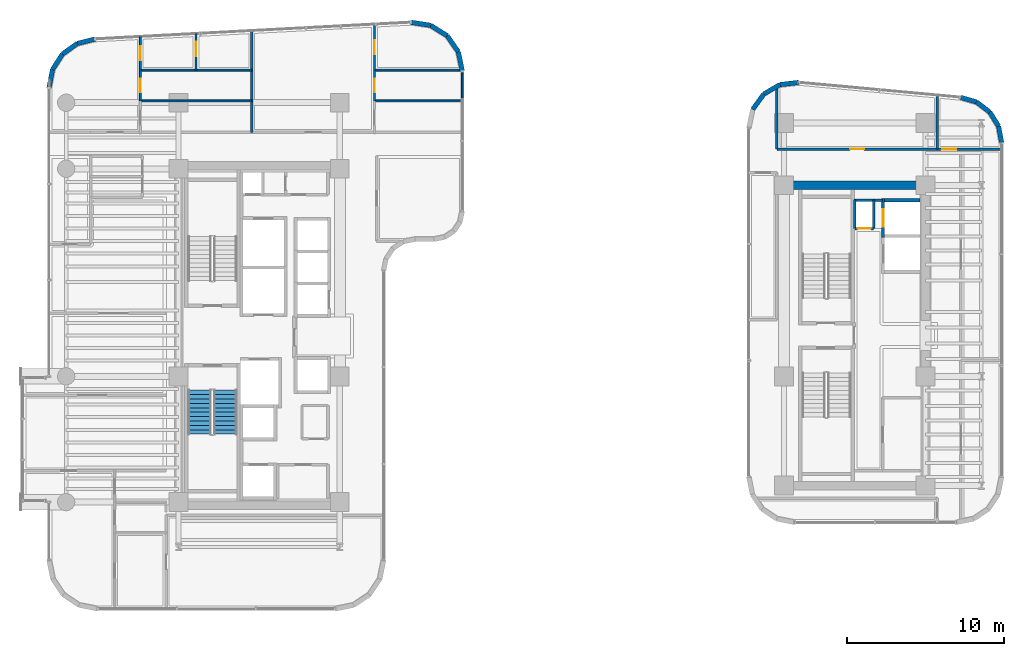
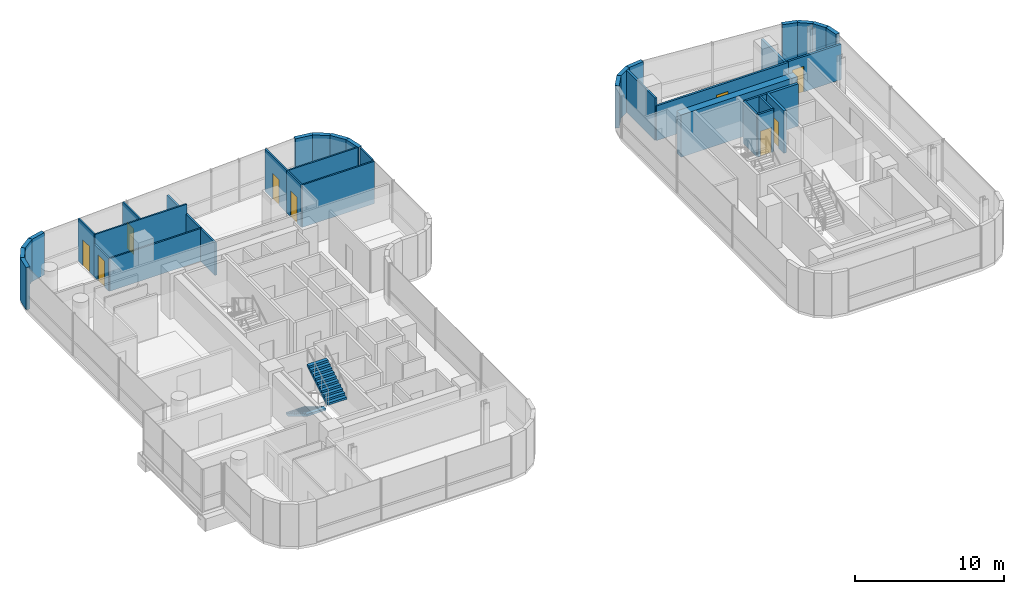
# One storey, part 29 of 34: 37 walls, 9 doors, 2 stair flights, 9 openings, 1 element without a shape of its own.
"""IFC4 building model written with IfcOpenShell, lengths in metres."""

from ifc_helpers import new_model, si_unit, direction, frame, frame_2d, origin, place, context, subcontext, project, spatial, polyline, rectangle, outline, extrude, material, layer, layer_set, type_object, element, fill, aggregate, save


model = new_model("IFC4")

# Units and contexts
model_context = context("Model", 3, precision=1e-05, world=origin(), true_north=direction((0.0, 1.0)))
body_context = subcontext(model_context, "Body", "Model", "MODEL_VIEW")
ifc_project = project(units=[si_unit("LENGTHUNIT", "METRE"), si_unit("AREAUNIT", "SQUARE_METRE"), si_unit("VOLUMEUNIT", "CUBIC_METRE"), si_unit("PLANEANGLEUNIT", "RADIAN"), si_unit("MASSUNIT", "GRAM", prefix="KILO")], contexts=[model_context])

# Site, building, storey
site_placement = place(None, origin())
site = spatial("IfcSite", under=ifc_project, at=site_placement, CompositionType="ELEMENT")
building_placement = place(site_placement, origin())
building = spatial("IfcBuilding", under=site, at=building_placement, Name="Valdorenza Pilgrim Sanctuary Tower", CompositionType="ELEMENT")
storey_placement = place(building_placement, frame((0.0, 0.0, 164.89990234375)))
storey = spatial("IfcBuildingStorey", under=building, at=storey_placement, Name="L42", CompositionType="ELEMENT", Elevation=164.89990234375)

# Wall, opening, door
ifc_material_1 = material(Name="Acoustic twin-stud gypsum partition", Category="gypsum")
ifc_layer_1 = layer(ifc_material_1, 0.159912109375, Name="Acoustic twin-stud gypsum partition")
ifc_layer_set_1 = layer_set([ifc_layer_1], Name="Acoustic twin-stud gypsum partition")
wall_type_1 = type_object("IfcWallType", Name="WAL-COR-160", PredefinedType="PARTITIONING", material=ifc_layer_set_1)
wall_1_placement = place(storey_placement, frame((20.35009765625, 6.800048828125, 0.0), z_axis=(0.0, 0.0, 1.0), x_axis=(1.0, 0.0, 0.0)))
wall_1 = element("IfcWall", 1, at=wall_1_placement, inside=storey, type_object=wall_type_1, Name="L42 Core B Riser South Wall", PredefinedType="PARTITIONING", context=body_context, shape_type="SweptSolid", body=[
    extrude(rectangle(XDim=1.199951171875, YDim=0.159912109375, at=frame_2d((0.60009765625, 0.0))), origin(), (0.0, 0.0, 1.0), 3.460205078125),
])
opening_1_placement = place(wall_1_placement, frame((0.175048828125, 0.0, 0.0)))
opening_1 = element("IfcOpeningElement", 2, at=opening_1_placement, cuts=wall_1, Name="Opening DR-RS1", PredefinedType="OPENING", context=body_context, shape_type="SweptSolid", body=[
    extrude(rectangle(XDim=0.85009765625, YDim=2.050048828125, at=frame_2d((0.425048828125, 1.02490234375))), frame((0.0, 0.0947265625, 0.0), z_axis=(0.0, -1.0, 0.0), x_axis=(1.0, 0.0, 0.0)), (0.0, 0.0, 1.0), 0.189697265625),
])
ifc_material_2 = material(Name="Painted galvanized steel", Category="steel")
door_type_1 = type_object("IfcDoorType", Name="DR-RSR-850", OperationType="NOTDEFINED", PredefinedType="DOOR", material=ifc_material_2)
door_1_placement = place(opening_1_placement, origin())
door_1 = element("IfcDoor", 3, at=door_1_placement, inside=storey, type_object=door_type_1, Name="L42 Core B Electrical Riser Door", OperationType="SINGLE_SWING_LEFT", OverallHeight=2.050048828125, OverallWidth=0.85009765625, PredefinedType="DOOR", context=body_context, shape_type="SweptSolid", body=[
    extrude(rectangle(XDim=0.85009765625, YDim=2.050048828125, at=frame_2d((0.425048828125, 1.02490234375))), frame((0.0, 0.02490234375, 0.0), z_axis=(0.0, -1.0, 0.0), x_axis=(1.0, 0.0, 0.0)), (0.0, 0.0, 1.0), 0.050048828125),
])
fill(opening_1, door_1)

# Walls
for number, where, z_axis, x_axis, name in (
    (4, (21.550048828125, 6.800048828125, 0.0), (0.0, 0.0, 1.0), (0.0, 1.0, 0.0), "L42 Core B Riser East Wall"),
    (5, (20.35009765625, 6.800048828125, 0.0), (0.0, 0.0, 1.0), (0.0, 1.0, 0.0), "L42 Core B Riser West Wall"),
):
    element("IfcWall", number, at=place(storey_placement, frame(where, z_axis=z_axis, x_axis=x_axis)), inside=storey, type_object=wall_type_1, Name=name, PredefinedType="PARTITIONING", context=body_context, shape_type="SweptSolid", body=[
        extrude(rectangle(XDim=1.800048828125, YDim=0.159912109375, at=frame_2d((0.89990234375, 0.0))), origin(), (0.0, 0.0, 1.0), 3.460205078125),
    ])
wall_2_placement = place(storey_placement, frame((20.300048828125, 8.60009765625, 0.0), z_axis=(0.0, 0.0, 1.0), x_axis=(1.0, 0.0, 0.0)))
element("IfcWall", 6, at=wall_2_placement, inside=storey, type_object=wall_type_1, Name="L42 Core B Lift Hall North End Wall", PredefinedType="PARTITIONING", context=body_context, shape_type="SweptSolid", body=[
    extrude(rectangle(XDim=1.820068359375, YDim=0.159912109375, at=frame_2d((0.91015625, 0.0))), origin(), (0.0, 0.0, 1.0), 3.460205078125),
])

# Wall, opening, door
wall_3_placement = place(storey_placement, frame((15.39990234375, 11.85009765625, 0.0), z_axis=(0.0, 0.0, 1.0), x_axis=(1.0, 0.0, 0.0)))
wall_3 = element("IfcWall", 7, at=wall_3_placement, inside=storey, type_object=wall_type_1, Name="L42 Wing B North Corridor Wall", PredefinedType="PARTITIONING", context=body_context, shape_type="SweptSolid", body=[
    extrude(rectangle(XDim=10.2001953125, YDim=0.159912109375, at=frame_2d((5.10009765625, 0.0))), origin(), (0.0, 0.0, 1.0), 2.833984375),
])
opening_2_placement = place(wall_3_placement, frame((4.64990234375, 0.0, 0.0)))
opening_2 = element("IfcOpeningElement", 8, at=opening_2_placement, cuts=wall_3, Name="Opening DR-RM1", PredefinedType="OPENING", context=body_context, shape_type="SweptSolid", body=[
    extrude(rectangle(XDim=0.89990234375, YDim=2.10009765625, at=frame_2d((0.449951171875, 1.050048828125))), frame((0.0, 0.0947265625, 0.0), z_axis=(0.0, -1.0, 0.0), x_axis=(1.0, 0.0, 0.0)), (0.0, 0.0, 1.0), 0.189697265625),
])
ifc_material_3 = material(Name="Solid-core European oak timber", Category="wood")
door_type_2 = type_object("IfcDoorType", Name="DR-ROOM-900", OperationType="NOTDEFINED", PredefinedType="DOOR", material=ifc_material_3)
door_2_placement = place(opening_2_placement, frame((0.89990234375, 0.0, 0.0), z_axis=(0.0, 0.0, 1.0), x_axis=(-1.0, 0.0, 0.0)))
door_2 = element("IfcDoor", 9, at=door_2_placement, inside=storey, type_object=door_type_2, Name="L42 Curator Research Office L42-BN1 Door", OperationType="SINGLE_SWING_LEFT", OverallHeight=2.10009765625, OverallWidth=0.89990234375, PredefinedType="DOOR", context=body_context, shape_type="SweptSolid", body=[
    extrude(rectangle(XDim=0.89990234375, YDim=2.10009765625, at=frame_2d((0.449951171875, 1.050048828125))), frame((0.0, 0.02490234375, 0.0), z_axis=(0.0, -1.0, 0.0), x_axis=(1.0, 0.0, 0.0)), (0.0, 0.0, 1.0), 0.050048828125),
])
fill(opening_2, door_2)

# Walls
wall_4_placement = place(storey_placement, frame((15.39990234375, 11.85009765625, 0.0), z_axis=(0.0, 0.0, 1.0), x_axis=(0.0, 1.0, 0.0)))
element("IfcWall", 10, at=wall_4_placement, inside=storey, type_object=wall_type_1, Name="L42 Wing B North West Wall", PredefinedType="PARTITIONING", context=body_context, shape_type="SweptSolid", body=[
    extrude(rectangle(XDim=3.846923828125, YDim=0.159912109375, at=frame_2d((1.92333984375, 0.0))), origin(), (0.0, 0.0, 1.0), 3.460205078125),
])
wall_5_placement = place(storey_placement, frame((25.60009765625, 11.85009765625, 0.0), z_axis=(0.0, 0.0, 1.0), x_axis=(0.0, 1.0, 0.0)))
element("IfcWall", 11, at=wall_5_placement, inside=storey, type_object=wall_type_1, Name="L42 Wing B North East Wall", PredefinedType="PARTITIONING", context=body_context, shape_type="SweptSolid", body=[
    extrude(rectangle(XDim=3.426025390625, YDim=0.159912109375, at=frame_2d((1.712890625, 0.0))), origin(), (0.0, 0.0, 1.0), 2.666015625),
])

# Wall, opening, door
wall_6_placement = place(storey_placement, frame((25.60009765625, 11.85009765625, 0.0), z_axis=(0.0, 0.0, 1.0), x_axis=(1.0, 0.0, 0.0)))
wall_6 = element("IfcWall", 12, at=wall_6_placement, inside=storey, type_object=wall_type_1, Name="L42 East Wing NE Corner South Wall", PredefinedType="PARTITIONING", context=body_context, shape_type="SweptSolid", body=[
    extrude(rectangle(XDim=4.08984375, YDim=0.159912109375, at=frame_2d((2.044921875, 0.0))), origin(), (0.0, 0.0, 1.0), 2.89599609375),
])
opening_3_placement = place(wall_6_placement, frame((0.300048828125, 0.0, 0.0)))
opening_3 = element("IfcOpeningElement", 13, at=opening_3_placement, cuts=wall_6, Name="Opening DR-RM1", PredefinedType="OPENING", context=body_context, shape_type="SweptSolid", body=[
    extrude(rectangle(XDim=0.89990234375, YDim=2.10009765625, at=frame_2d((0.449951171875, 1.050048828125))), frame((0.0, 0.0947265625, 0.0), z_axis=(0.0, -1.0, 0.0), x_axis=(1.0, 0.0, 0.0)), (0.0, 0.0, 1.0), 0.189697265625),
])
door_3_placement = place(opening_3_placement, origin())
door_3 = element("IfcDoor", 14, at=door_3_placement, inside=storey, type_object=door_type_2, Name="L42 East North Alcove Office L42 Door", OperationType="SINGLE_SWING_LEFT", OverallHeight=2.10009765625, OverallWidth=0.89990234375, PredefinedType="DOOR", context=body_context, shape_type="SweptSolid", body=[
    extrude(rectangle(XDim=0.89990234375, YDim=2.10009765625, at=frame_2d((0.449951171875, 1.050048828125))), frame((0.0, 0.02490234375, 0.0), z_axis=(0.0, -1.0, 0.0), x_axis=(1.0, 0.0, 0.0)), (0.0, 0.0, 1.0), 0.050048828125),
])
fill(opening_3, door_3)

# Walls
ifc_material_4 = material(Name="Concrete C50/60", Category="concrete")
ifc_layer_2 = layer(ifc_material_4, 0.550048828125, Name="Concrete C50/60")
ifc_layer_set_2 = layer_set([ifc_layer_2], Name="Concrete C50/60")
wall_type_2 = type_object("IfcWallType", Name="WAL-COR-550", PredefinedType="SHEAR", material=ifc_layer_set_2)
wall_7_placement = place(storey_placement, frame((15.85009765625, 9.550048828125, 0.0), z_axis=(0.0, 0.0, 1.0), x_axis=(1.0, 0.0, 0.0)))
element("IfcWall", 15, at=wall_7_placement, inside=storey, type_object=wall_type_2, Name="L42 Split Core B Shear Wall N", PredefinedType="SHEAR", context=body_context, shape_type="SweptSolid", body=[
    extrude(rectangle(XDim=9.0, YDim=0.550048828125, at=frame_2d((4.5, 0.0))), origin(), (0.0, 0.0, 1.0), 3.460205078125),
])
ifc_material_5 = material(Name="Honed travertine limestone", Category="masonry")
ifc_layer_3 = layer(ifc_material_5, 0.300048828125, Name="Honed travertine limestone")
ifc_layer_set_3 = layer_set([ifc_layer_3], Name="Honed travertine limestone")
wall_type_3 = type_object("IfcWallType", Name="WAL-EXT-300", PredefinedType="SOLIDWALL", material=ifc_layer_set_3)
wall_8_placement = place(storey_placement, frame((-30.889892578125, 15.754150390625, 0.0), z_axis=(0.0, 0.0, 1.0), x_axis=(0.188562397879, 0.982061210977, 0.0)))
element("IfcWall", 16, at=wall_8_placement, inside=storey, type_object=wall_type_3, Name="L42 Rounded Wind-Corner Stone Pier 2", PredefinedType="SOLIDWALL", context=body_context, shape_type="SweptSolid", body=[
    extrude(rectangle(XDim=1.175537109375, YDim=0.300048828125, at=frame_2d((0.587890625, 0.0))), origin(), (0.0, 0.0, 1.0), 3.460205078125),
])
for number, where, z_axis, x_axis, name in (
    (17, (-30.668212890625, 16.90869140625, 0.0), (0.0, 0.0, 1.0), (0.539125072412, 0.842225715766, 0.0), "L42 Rounded Wind-Corner Stone Pier 3"),
    (18, (-30.040283203125, 17.8896484375, 0.0), (0.0, 0.0, 1.0), (0.81257061936, 0.582862752758, 0.0), "L42 Rounded Wind-Corner Stone Pier 4"),
):
    element("IfcWall", number, at=place(storey_placement, frame(where, z_axis=z_axis, x_axis=x_axis)), inside=storey, type_object=wall_type_3, Name=name, PredefinedType="SOLIDWALL", context=body_context, shape_type="SweptSolid", body=[
        extrude(rectangle(XDim=1.164794921875, YDim=0.300048828125, at=frame_2d((0.58251953125, 0.0))), origin(), (0.0, 0.0, 1.0), 3.460205078125),
    ])
wall_9_placement = place(storey_placement, frame((-29.09375, 18.568603515625, 0.0), z_axis=(0.0, 0.0, 1.0), x_axis=(0.970762249107, 0.24004302887, 0.0)))
element("IfcWall", 19, at=wall_9_placement, inside=storey, type_object=wall_type_3, Name="L42 Rounded Wind-Corner Stone Pier 5", PredefinedType="SOLIDWALL", context=body_context, shape_type="SweptSolid", body=[
    extrude(rectangle(XDim=1.17578125, YDim=0.300048828125, at=frame_2d((0.587890625, 0.0))), origin(), (0.0, 0.0, 1.0), 3.460205078125),
])
wall_10_placement = place(storey_placement, frame((-7.874267578125, 19.91162109375, 0.0), z_axis=(0.0, 0.0, 1.0), x_axis=(0.988741655411, -0.149632679769, 0.0)))
element("IfcWall", 20, at=wall_10_placement, inside=storey, type_object=wall_type_3, Name="L42 Rounded Wind-Corner Stone Pier 7", PredefinedType="SOLIDWALL", context=body_context, shape_type="SweptSolid", body=[
    extrude(rectangle(XDim=1.25634765625, YDim=0.300048828125, at=frame_2d((0.628173828125, 0.0))), origin(), (0.0, 0.0, 1.0), 3.460205078125),
])
wall_11_placement = place(storey_placement, frame((-6.632080078125, 19.7236328125, 0.0), z_axis=(0.0, 0.0, 1.0), x_axis=(0.849285325289, -0.527934121126, 0.0)))
element("IfcWall", 21, at=wall_11_placement, inside=storey, type_object=wall_type_3, Name="L42 Rounded Wind-Corner Stone Pier 8", PredefinedType="SOLIDWALL", context=body_context, shape_type="SweptSolid", body=[
    extrude(rectangle(XDim=1.244384765625, YDim=0.300048828125, at=frame_2d((0.6220703125, 0.0))), origin(), (0.0, 0.0, 1.0), 3.460205078125),
])
wall_12_placement = place(storey_placement, frame((-5.5751953125, 19.066650390625, 0.0), z_axis=(0.0, 0.0, 1.0), x_axis=(0.571960670617, -0.820281044074, 0.0)))
element("IfcWall", 22, at=wall_12_placement, inside=storey, type_object=wall_type_3, Name="L42 Rounded Wind-Corner Stone Pier 9", PredefinedType="SOLIDWALL", context=body_context, shape_type="SweptSolid", body=[
    extrude(rectangle(XDim=1.24462890625, YDim=0.300048828125, at=frame_2d((0.622314453125, 0.0))), origin(), (0.0, 0.0, 1.0), 3.460205078125),
])
wall_13_placement = place(storey_placement, frame((-4.86328125, 18.045654296875, 0.0), z_axis=(0.0, 0.0, 1.0), x_axis=(0.201532282172, -0.97948187285, 0.0)))
element("IfcWall", 23, at=wall_13_placement, inside=storey, type_object=wall_type_3, Name="L42 Rounded Wind-Corner Stone Pier 10", PredefinedType="SOLIDWALL", context=body_context, shape_type="SweptSolid", body=[
    extrude(rectangle(XDim=1.25634765625, YDim=0.300048828125, at=frame_2d((0.628173828125, 0.0))), origin(), (0.0, 0.0, 1.0), 3.460205078125),
])
for number, where, z_axis, x_axis, name in (
    (24, (13.858154296875, 14.377197265625, 0.0), (0.0, 0.0, 1.0), (0.583948425707, 0.811790758825, 0.0), "L42 Rounded Wind-Corner Stone Pier 3"),
    (25, (14.553955078125, 15.344482421875, 0.0), (0.0, 0.0, 1.0), (0.861907880486, 0.507064892846, 0.0), "L42 Rounded Wind-Corner Stone Pier 4"),
):
    element("IfcWall", number, at=place(storey_placement, frame(where, z_axis=z_axis, x_axis=x_axis)), inside=storey, type_object=wall_type_3, Name=name, PredefinedType="SOLIDWALL", context=body_context, shape_type="SweptSolid", body=[
        extrude(rectangle(XDim=1.191650390625, YDim=0.300048828125, at=frame_2d((0.595703125, 0.0))), origin(), (0.0, 0.0, 1.0), 3.460205078125),
    ])
wall_14_placement = place(storey_placement, frame((15.5810546875, 15.94873046875, 0.0), z_axis=(0.0, 0.0, 1.0), x_axis=(0.993288417722, 0.115663819837, 0.0)))
element("IfcWall", 26, at=wall_14_placement, inside=storey, type_object=wall_type_3, Name="L42 Rounded Wind-Corner Stone Pier 5", PredefinedType="SOLIDWALL", context=body_context, shape_type="SweptSolid", body=[
    extrude(rectangle(XDim=1.203125, YDim=0.300048828125, at=frame_2d((0.6015625, 0.0))), origin(), (0.0, 0.0, 1.0), 3.460205078125),
])
wall_15_placement = place(storey_placement, frame((27.0546875, 15.14208984375, 0.0), z_axis=(0.0, 0.0, 1.0), x_axis=(0.962012179147, -0.273006533206, 0.0)))
element("IfcWall", 27, at=wall_15_placement, inside=storey, type_object=wall_type_3, Name="L42 Rounded Wind-Corner Stone Pier 7", PredefinedType="SOLIDWALL", context=body_context, shape_type="SweptSolid", body=[
    extrude(rectangle(XDim=1.072265625, YDim=0.300048828125, at=frame_2d((0.5361328125, 0.0))), origin(), (0.0, 0.0, 1.0), 3.460205078125),
])
for number, where, z_axis, x_axis, name in (
    (28, (28.086181640625, 14.849365234375, 0.0), (0.0, 0.0, 1.0), (0.798147425144, -0.602462187806, 0.0), "L42 Rounded Wind-Corner Stone Pier 8"),
    (29, (28.93359375, 14.209716796875, 0.0), (0.0, 0.0, 1.0), (0.52675032424, -0.850020056183, 0.0), "L42 Rounded Wind-Corner Stone Pier 9"),
):
    element("IfcWall", number, at=place(storey_placement, frame(where, z_axis=z_axis, x_axis=x_axis)), inside=storey, type_object=wall_type_3, Name=name, PredefinedType="SOLIDWALL", context=body_context, shape_type="SweptSolid", body=[
        extrude(rectangle(XDim=1.061767578125, YDim=0.300048828125, at=frame_2d((0.53076171875, 0.0))), origin(), (0.0, 0.0, 1.0), 3.460205078125),
    ])
wall_16_placement = place(storey_placement, frame((29.492919921875, 13.30712890625, 0.0), z_axis=(0.0, 0.0, 1.0), x_axis=(0.183752343116, -0.98297257154, 0.0)))
element("IfcWall", 30, at=wall_16_placement, inside=storey, type_object=wall_type_3, Name="L42 Rounded Wind-Corner Stone Pier 10", PredefinedType="SOLIDWALL", context=body_context, shape_type="SweptSolid", body=[
    extrude(rectangle(XDim=1.072265625, YDim=0.300048828125, at=frame_2d((0.5361328125, 0.0))), origin(), (0.0, 0.0, 1.0), 3.460205078125),
])
ifc_material_6 = material(Name="Moisture-resistant gypsum partition", Category="gypsum")
ifc_layer_4 = layer(ifc_material_6, 0.1201171875, Name="Moisture-resistant gypsum partition")
ifc_layer_set_4 = layer_set([ifc_layer_4], Name="Moisture-resistant gypsum partition")
wall_type_4 = type_object("IfcWallType", Name="WAL-INT-120", PredefinedType="PARTITIONING", material=ifc_layer_set_4)
wall_17_placement = place(storey_placement, frame((-25.0849609375, 14.919921875, 0.0), z_axis=(0.0, 0.0, 1.0), x_axis=(1.0, 0.0, 0.0)))
element("IfcWall", 31, at=wall_17_placement, inside=storey, type_object=wall_type_4, Name="L42 North Family Flat L42-N1 Bath-Kitchen Wall", PredefinedType="PARTITIONING", context=body_context, shape_type="SweptSolid", body=[
    extrude(rectangle(XDim=7.0849609375, YDim=0.1201171875, at=frame_2d((3.54248046875, 0.0))), origin(), (0.0, 0.0, 1.0), 2.666015625),
])
wall_18_placement = place(storey_placement, frame((-25.0849609375, 16.8701171875, 0.0), z_axis=(0.0, 0.0, 1.0), x_axis=(1.0, 0.0, 0.0)))
element("IfcWall", 32, at=wall_18_placement, inside=storey, type_object=wall_type_4, Name="L42 North Family Flat L42-N1 Kitchen-Bedroom Wall", PredefinedType="PARTITIONING", context=body_context, shape_type="SweptSolid", body=[
    extrude(rectangle(XDim=7.0849609375, YDim=0.1201171875, at=frame_2d((3.54248046875, 0.0))), origin(), (0.0, 0.0, 1.0), 3.460205078125),
])

# Wall, opening, door
wall_19_placement = place(storey_placement, frame((-25.0849609375, 14.919921875, 0.0), z_axis=(0.0, 0.0, 1.0), x_axis=(0.0, 1.0, 0.0)))
wall_19 = element("IfcWall", 33, at=wall_19_placement, inside=storey, type_object=wall_type_4, Name="L42 North Family Flat L42-N1 Bathroom Door Wall", PredefinedType="PARTITIONING", context=body_context, shape_type="SweptSolid", body=[
    extrude(rectangle(XDim=1.9501953125, YDim=0.1201171875, at=frame_2d((0.97509765625, 0.0))), origin(), (0.0, 0.0, 1.0), 2.666015625),
])
opening_4_placement = place(wall_19_placement, frame((0.550048828125, 0.0, 0.0)))
opening_4 = element("IfcOpeningElement", 34, at=opening_4_placement, cuts=wall_19, Name="Opening DR-WC1", PredefinedType="OPENING", context=body_context, shape_type="SweptSolid", body=[
    extrude(rectangle(XDim=0.85009765625, YDim=2.10009765625, at=frame_2d((0.425048828125, 1.050048828125))), frame((0.0, 0.074951171875, 0.0), z_axis=(0.0, -1.0, 0.0), x_axis=(1.0, 0.0, 0.0)), (0.0, 0.0, 1.0), 0.14990234375),
])
ifc_material_7 = material(Name="Moisture-resistant lacquered timber", Category="wood")
door_type_3 = type_object("IfcDoorType", Name="DR-BATH-850", OperationType="NOTDEFINED", PredefinedType="DOOR", material=ifc_material_7)
door_4_placement = place(opening_4_placement, origin())
door_4 = element("IfcDoor", 35, at=door_4_placement, inside=storey, type_object=door_type_3, Name="L42 North Family Flat L42-N1 Bathroom Door", OperationType="SINGLE_SWING_RIGHT", OverallHeight=2.10009765625, OverallWidth=0.85009765625, PredefinedType="DOOR", context=body_context, shape_type="SweptSolid", body=[
    extrude(rectangle(XDim=0.85009765625, YDim=2.10009765625, at=frame_2d((0.425048828125, 1.050048828125))), frame((0.0, 0.02490234375, 0.0), z_axis=(0.0, -1.0, 0.0), x_axis=(1.0, 0.0, 0.0)), (0.0, 0.0, 1.0), 0.050048828125),
])
fill(opening_4, door_4)

wall_20_placement = place(storey_placement, frame((-25.0849609375, 16.8701171875, 0.0), z_axis=(0.0, 0.0, 1.0), x_axis=(0.0, 1.0, 0.0)))
wall_20 = element("IfcWall", 36, at=wall_20_placement, inside=storey, type_object=wall_type_4, Name="L42 North Family Flat L42-N1 Bedroom Door Wall", PredefinedType="PARTITIONING", context=body_context, shape_type="SweptSolid", body=[
    extrude(rectangle(XDim=2.132080078125, YDim=0.1201171875, at=frame_2d((1.06591796875, 0.0))), origin(), (0.0, 0.0, 1.0), 3.460205078125),
])
opening_5_placement = place(wall_20_placement, frame((0.615966796875, 0.0, 0.0)))
opening_5 = element("IfcOpeningElement", 37, at=opening_5_placement, cuts=wall_20, Name="Opening DR-RM1", PredefinedType="OPENING", context=body_context, shape_type="SweptSolid", body=[
    extrude(rectangle(XDim=0.89990234375, YDim=2.10009765625, at=frame_2d((0.449951171875, 1.050048828125))), frame((0.0, 0.074951171875, 0.0), z_axis=(0.0, -1.0, 0.0), x_axis=(1.0, 0.0, 0.0)), (0.0, 0.0, 1.0), 0.14990234375),
])
door_5_placement = place(opening_5_placement, origin())
door_5 = element("IfcDoor", 38, at=door_5_placement, inside=storey, type_object=door_type_2, Name="L42 North Family Flat L42-N1 Bedroom 1 Door", OperationType="SINGLE_SWING_RIGHT", OverallHeight=2.10009765625, OverallWidth=0.89990234375, PredefinedType="DOOR", context=body_context, shape_type="SweptSolid", body=[
    extrude(rectangle(XDim=0.89990234375, YDim=2.10009765625, at=frame_2d((0.449951171875, 1.050048828125))), frame((0.0, 0.02490234375, 0.0), z_axis=(0.0, -1.0, 0.0), x_axis=(1.0, 0.0, 0.0)), (0.0, 0.0, 1.0), 0.050048828125),
])
fill(opening_5, door_5)

wall_21_placement = place(storey_placement, frame((-21.54248046875, 16.8701171875, 0.0), z_axis=(0.0, 0.0, 1.0), x_axis=(0.0, 1.0, 0.0)))
wall_21 = element("IfcWall", 39, at=wall_21_placement, inside=storey, type_object=wall_type_4, Name="L42 North Family Flat L42-N1 Bedroom 2 Wall", PredefinedType="PARTITIONING", context=body_context, shape_type="SweptSolid", body=[
    extrude(rectangle(XDim=2.3193359375, YDim=0.1201171875, at=frame_2d((1.15966796875, 0.0))), origin(), (0.0, 0.0, 1.0), 3.460205078125),
])
opening_6_placement = place(wall_21_placement, frame((0.89990234375, 0.0, 0.0)))
opening_6 = element("IfcOpeningElement", 40, at=opening_6_placement, cuts=wall_21, Name="Opening DR-RM1", PredefinedType="OPENING", context=body_context, shape_type="SweptSolid", body=[
    extrude(rectangle(XDim=0.89990234375, YDim=2.10009765625, at=frame_2d((0.449951171875, 1.050048828125))), frame((0.0, 0.074951171875, 0.0), z_axis=(0.0, -1.0, 0.0), x_axis=(1.0, 0.0, 0.0)), (0.0, 0.0, 1.0), 0.14990234375),
])
door_6_placement = place(opening_6_placement, frame((0.89990234375, 0.0, 0.0), z_axis=(0.0, 0.0, 1.0), x_axis=(-1.0, 0.0, 0.0)))
door_6 = element("IfcDoor", 41, at=door_6_placement, inside=storey, type_object=door_type_2, Name="L42 North Family Flat L42-N1 Bedroom 2 Door", OperationType="SINGLE_SWING_LEFT", OverallHeight=2.10009765625, OverallWidth=0.89990234375, PredefinedType="DOOR", context=body_context, shape_type="SweptSolid", body=[
    extrude(rectangle(XDim=0.89990234375, YDim=2.10009765625, at=frame_2d((0.449951171875, 1.050048828125))), frame((0.0, 0.02490234375, 0.0), z_axis=(0.0, -1.0, 0.0), x_axis=(1.0, 0.0, 0.0)), (0.0, 0.0, 1.0), 0.050048828125),
])
fill(opening_6, door_6)

# Walls
wall_22_placement = place(storey_placement, frame((-10.190673828125, 14.919921875, 0.0), z_axis=(0.0, 0.0, 1.0), x_axis=(1.0, 0.0, 0.0)))
element("IfcWall", 42, at=wall_22_placement, inside=storey, type_object=wall_type_4, Name="L42 North Family Flat L42-N2 Bath-Kitchen Wall", PredefinedType="PARTITIONING", context=body_context, shape_type="SweptSolid", body=[
    extrude(rectangle(XDim=5.58056640625, YDim=0.1201171875, at=frame_2d((2.790283203125, 0.0))), origin(), (0.0, 0.0, 1.0), 3.460205078125),
])
wall_23_placement = place(storey_placement, frame((-10.190673828125, 16.8701171875, 0.0), z_axis=(0.0, 0.0, 1.0), x_axis=(1.0, 0.0, 0.0)))
element("IfcWall", 43, at=wall_23_placement, inside=storey, type_object=wall_type_4, Name="L42 North Family Flat L42-N2 Kitchen-Bedroom Wall", PredefinedType="PARTITIONING", context=body_context, shape_type="SweptSolid", body=[
    extrude(rectangle(XDim=5.44189453125, YDim=0.1201171875, at=frame_2d((2.720947265625, 0.0))), origin(), (0.0, 0.0, 1.0), 3.460205078125),
])

# Wall, opening, door
wall_24_placement = place(storey_placement, frame((-10.190673828125, 14.919921875, 0.0), z_axis=(0.0, 0.0, 1.0), x_axis=(0.0, 1.0, 0.0)))
wall_24 = element("IfcWall", 44, at=wall_24_placement, inside=storey, type_object=wall_type_4, Name="L42 North Family Flat L42-N2 Bathroom Door Wall", PredefinedType="PARTITIONING", context=body_context, shape_type="SweptSolid", body=[
    extrude(rectangle(XDim=1.9501953125, YDim=0.1201171875, at=frame_2d((0.97509765625, 0.0))), origin(), (0.0, 0.0, 1.0), 3.460205078125),
])
opening_7_placement = place(wall_24_placement, frame((0.550048828125, 0.0, 0.0)))
opening_7 = element("IfcOpeningElement", 45, at=opening_7_placement, cuts=wall_24, Name="Opening DR-WC1", PredefinedType="OPENING", context=body_context, shape_type="SweptSolid", body=[
    extrude(rectangle(XDim=0.85009765625, YDim=2.10009765625, at=frame_2d((0.425048828125, 1.050048828125))), frame((0.0, 0.074951171875, 0.0), z_axis=(0.0, -1.0, 0.0), x_axis=(1.0, 0.0, 0.0)), (0.0, 0.0, 1.0), 0.14990234375),
])
door_7_placement = place(opening_7_placement, origin())
door_7 = element("IfcDoor", 46, at=door_7_placement, inside=storey, type_object=door_type_3, Name="L42 North Family Flat L42-N2 Bathroom Door", OperationType="SINGLE_SWING_LEFT", OverallHeight=2.10009765625, OverallWidth=0.85009765625, PredefinedType="DOOR", context=body_context, shape_type="SweptSolid", body=[
    extrude(rectangle(XDim=0.85009765625, YDim=2.10009765625, at=frame_2d((0.425048828125, 1.050048828125))), frame((0.0, 0.02490234375, 0.0), z_axis=(0.0, -1.0, 0.0), x_axis=(1.0, 0.0, 0.0)), (0.0, 0.0, 1.0), 0.050048828125),
])
fill(opening_7, door_7)

wall_25_placement = place(storey_placement, frame((-10.190673828125, 16.8701171875, 0.0), z_axis=(0.0, 0.0, 1.0), x_axis=(0.0, 1.0, 0.0)))
wall_25 = element("IfcWall", 47, at=wall_25_placement, inside=storey, type_object=wall_type_4, Name="L42 North Family Flat L42-N2 Bedroom Door Wall", PredefinedType="PARTITIONING", context=body_context, shape_type="SweptSolid", body=[
    extrude(rectangle(XDim=2.919189453125, YDim=0.1201171875, at=frame_2d((1.45947265625, 0.0))), origin(), (0.0, 0.0, 1.0), 3.460205078125),
])
opening_8_placement = place(wall_25_placement, frame((1.010009765625, 0.0, 0.0)))
opening_8 = element("IfcOpeningElement", 48, at=opening_8_placement, cuts=wall_25, Name="Opening DR-RM1", PredefinedType="OPENING", context=body_context, shape_type="SweptSolid", body=[
    extrude(rectangle(XDim=0.89990234375, YDim=2.10009765625, at=frame_2d((0.449951171875, 1.050048828125))), frame((0.0, 0.074951171875, 0.0), z_axis=(0.0, -1.0, 0.0), x_axis=(1.0, 0.0, 0.0)), (0.0, 0.0, 1.0), 0.14990234375),
])
door_8_placement = place(opening_8_placement, frame((0.89990234375, 0.0, 0.0), z_axis=(0.0, 0.0, 1.0), x_axis=(-1.0, 0.0, 0.0)))
door_8 = element("IfcDoor", 49, at=door_8_placement, inside=storey, type_object=door_type_2, Name="L42 North Family Flat L42-N2 Bedroom Door", OperationType="SINGLE_SWING_LEFT", OverallHeight=2.10009765625, OverallWidth=0.89990234375, PredefinedType="DOOR", context=body_context, shape_type="SweptSolid", body=[
    extrude(rectangle(XDim=0.89990234375, YDim=2.10009765625, at=frame_2d((0.449951171875, 1.050048828125))), frame((0.0, 0.02490234375, 0.0), z_axis=(0.0, -1.0, 0.0), x_axis=(1.0, 0.0, 0.0)), (0.0, 0.0, 1.0), 0.050048828125),
])
fill(opening_8, door_8)

# Wall
wall_26_placement = place(storey_placement, frame((-4.610107421875, 15.10009765625, 0.0), z_axis=(0.0, 0.0, 1.0), x_axis=(0.0, 1.0, 0.0)))
element("IfcWall", 50, at=wall_26_placement, inside=storey, type_object=wall_type_4, Name="L42 NW-FL2-BTH Enclosure Wall E", PredefinedType="PARTITIONING", context=body_context, shape_type="SweptSolid", body=[
    extrude(rectangle(XDim=1.5927734375, YDim=0.1201171875, at=frame_2d((0.79638671875, 0.0))), origin(), (0.0, 0.0, 1.0), 3.460205078125),
])

# Wall, opening, door
ifc_material_8 = material(Name="Autoclaved aerated concrete blockwork", Category="masonry")
ifc_layer_5 = layer(ifc_material_8, 0.199951171875, Name="Autoclaved aerated concrete blockwork")
ifc_layer_set_5 = layer_set([ifc_layer_5], Name="Autoclaved aerated concrete blockwork")
wall_type_5 = type_object("IfcWallType", Name="WAL-SHF-200", PredefinedType="MOVABLE", material=ifc_layer_set_5)
wall_27_placement = place(storey_placement, frame((22.14990234375, 6.22509765625, 0.0), z_axis=(0.0, 0.0, 1.0), x_axis=(0.0, 1.0, 0.0)))
wall_27 = element("IfcWall", 51, at=wall_27_placement, inside=storey, type_object=wall_type_5, Name="L42 Lift PL-08 Hoistway Wall West", PredefinedType="MOVABLE", context=body_context, shape_type="SweptSolid", body=[
    extrude(rectangle(XDim=2.474853515625, YDim=0.199951171875, at=frame_2d((1.2373046875, 0.0))), origin(), (0.0, 0.0, 1.0), 3.460205078125),
])
opening_9_placement = place(wall_27_placement, frame((0.6875, 0.0, 0.0)))
opening_9 = element("IfcOpeningElement", 52, at=opening_9_placement, cuts=wall_27, Name="Opening LD-01", PredefinedType="OPENING", context=body_context, shape_type="SweptSolid", body=[
    extrude(rectangle(XDim=1.10009765625, YDim=2.10009765625, at=frame_2d((0.550048828125, 1.050048828125))), frame((0.0, 0.11474609375, 0.0), z_axis=(0.0, -1.0, 0.0), x_axis=(1.0, 0.0, 0.0)), (0.0, 0.0, 1.0), 0.229736328125),
])
ifc_material_9 = material(Name="Brushed stainless steel Grade 316", Category="steel")
door_type_4 = type_object("IfcDoorType", Name="DR-LFT-1100", OperationType="DOUBLE_DOOR_SLIDING", PredefinedType="DOOR", material=ifc_material_9)
door_9_placement = place(opening_9_placement, origin())
door_9 = element("IfcDoor", 53, at=door_9_placement, inside=storey, type_object=door_type_4, Name="L42 Lift PL-08 Sliding Landing Door", OperationType="DOUBLE_DOOR_SLIDING", OverallHeight=2.10009765625, OverallWidth=1.10009765625, PredefinedType="DOOR", context=body_context, shape_type="SweptSolid", body=[
    extrude(rectangle(XDim=1.10009765625, YDim=2.10009765625, at=frame_2d((0.550048828125, 1.050048828125))), frame((0.0, 0.02490234375, 0.0), z_axis=(0.0, -1.0, 0.0), x_axis=(1.0, 0.0, 0.0)), (0.0, 0.0, 1.0), 0.050048828125),
])
fill(opening_9, door_9)

# Walls
wall_28_placement = place(storey_placement, frame((22.25, 8.60009765625, 0.0), z_axis=(0.0, 0.0, 1.0), x_axis=(1.0, 0.0, 0.0)))
element("IfcWall", 54, at=wall_28_placement, inside=storey, type_object=wall_type_5, Name="L42 Lift PL-08 Hoistway Wall North", PredefinedType="MOVABLE", context=body_context, shape_type="SweptSolid", body=[
    extrude(rectangle(XDim=2.22998046875, YDim=0.199951171875, at=frame_2d((1.114990234375, 0.0))), origin(), (0.0, 0.0, 1.0), 3.460205078125),
])
ifc_layer_6 = layer(ifc_material_1, 0.14990234375, Name="Acoustic twin-stud gypsum partition")
ifc_layer_set_6 = layer_set([ifc_layer_6], Name="Acoustic twin-stud gypsum partition")
wall_type_6 = type_object("IfcWallType", Name="WAL-UNT-150", PredefinedType="PARTITIONING", material=ifc_layer_set_6)
wall_29_placement = place(storey_placement, frame((-18.0, 12.919921875, 0.0), z_axis=(0.0, 0.0, 1.0), x_axis=(0.0, 1.0, 0.0)))
element("IfcWall", 55, at=wall_29_placement, inside=storey, type_object=wall_type_6, Name="L42 North Flat Demising 1", PredefinedType="PARTITIONING", context=body_context, shape_type="SweptSolid", body=[
    extrude(rectangle(XDim=6.456787109375, YDim=0.14990234375, at=frame_2d((3.228515625, 0.0))), origin(), (0.0, 0.0, 1.0), 2.666015625),
])

# Stair, stair flights
ifc_material_10 = material(Name="Concrete C40/50", Category="concrete")
stair_type = type_object("IfcStairType", Name="STR-DOG-CORE", PredefinedType="HALF_TURN_STAIR", material=ifc_material_10)
stair_placement = place(storey_placement, origin())
stair = element("IfcStair", 56, at=stair_placement, inside=storey, type_object=stair_type, Name="L42 ST-A2", PredefinedType="HALF_TURN_STAIR")
stair_flight_type = type_object("IfcStairFlightType", Name="STF-RC-1400", PredefinedType="STRAIGHT", material=ifc_material_10)
stair_flight_1_placement = place(storey_placement, frame((-21.31005859375, -3.47998046875, 0.0), z_axis=(0.0, 0.0, 1.0), x_axis=(0.0, -1.0, 0.0)))
stair_flight_1 = element("IfcStairFlight", 57, at=stair_flight_1_placement, type_object=stair_flight_type, Name="ST-A2 flight 1", NumberOfRisers=11, NumberOfTreads=10, PredefinedType="STRAIGHT", RiserHeight=0.168181818, TreadLength=0.28, context=body_context, shape_type="SweptSolid", body=[
    extrude(outline(polyline([(0.0, 0.0), (0.0, 0.168212890625), (0.280029296875, 0.168212890625), (0.280029296875, 0.33642578125), (0.56005859375, 0.33642578125), (0.56005859375, 0.504638671875), (0.840087890625, 0.504638671875), (0.840087890625, 0.672607421875), (1.1201171875, 0.672607421875), (1.1201171875, 0.8408203125), (1.39990234375, 0.8408203125), (1.39990234375, 1.009033203125), (1.679931640625, 1.009033203125), (1.679931640625, 1.17724609375), (1.9599609375, 1.17724609375), (1.9599609375, 1.345458984375), (2.239990234375, 1.345458984375), (2.239990234375, 1.513671875), (2.52001953125, 1.513671875), (2.52001953125, 1.681884765625), (2.800048828125, 1.681884765625), (2.800048828125, 1.85009765625), (2.800048828125, 1.5068359375), (0.291015625, 0.0), (0.0, 0.0)])), frame((0.0, 0.739990234375, 0.0), z_axis=(0.0, -1.0, 0.0), x_axis=(1.0, 0.0, 0.0)), (0.0, 0.0, 1.0), 1.47998046875),
])
stair_flight_2_placement = place(storey_placement, frame((-19.679931640625, -6.280029296875, 1.85009765625), z_axis=(0.0, 0.0, 1.0), x_axis=(0.0, 1.0, 0.0)))
stair_flight_2 = element("IfcStairFlight", 58, at=stair_flight_2_placement, type_object=stair_flight_type, Name="ST-A2 flight 2", NumberOfRisers=11, NumberOfTreads=10, PredefinedType="STRAIGHT", RiserHeight=0.168181818, TreadLength=0.28, context=body_context, shape_type="SweptSolid", body=[
    extrude(outline(polyline([(0.0, 0.0), (0.0, 0.168212890625), (0.280029296875, 0.168212890625), (0.280029296875, 0.33642578125), (0.56005859375, 0.33642578125), (0.56005859375, 0.504638671875), (0.840087890625, 0.504638671875), (0.840087890625, 0.672607421875), (1.1201171875, 0.672607421875), (1.1201171875, 0.8408203125), (1.39990234375, 0.8408203125), (1.39990234375, 1.009033203125), (1.679931640625, 1.009033203125), (1.679931640625, 1.17724609375), (1.9599609375, 1.17724609375), (1.9599609375, 1.345458984375), (2.239990234375, 1.345458984375), (2.239990234375, 1.513671875), (2.52001953125, 1.513671875), (2.52001953125, 1.681884765625), (2.800048828125, 1.681884765625), (2.800048828125, 1.85009765625), (2.800048828125, 1.5068359375), (0.291015625, 0.0), (0.0, 0.0)])), frame((0.0, 0.739990234375, 0.0), z_axis=(0.0, -1.0, 0.0), x_axis=(1.0, 0.0, 0.0)), (0.0, 0.0, 1.0), 1.47998046875),
])
aggregate(stair, [stair_flight_1, stair_flight_2])

save(model, "model.ifc")
